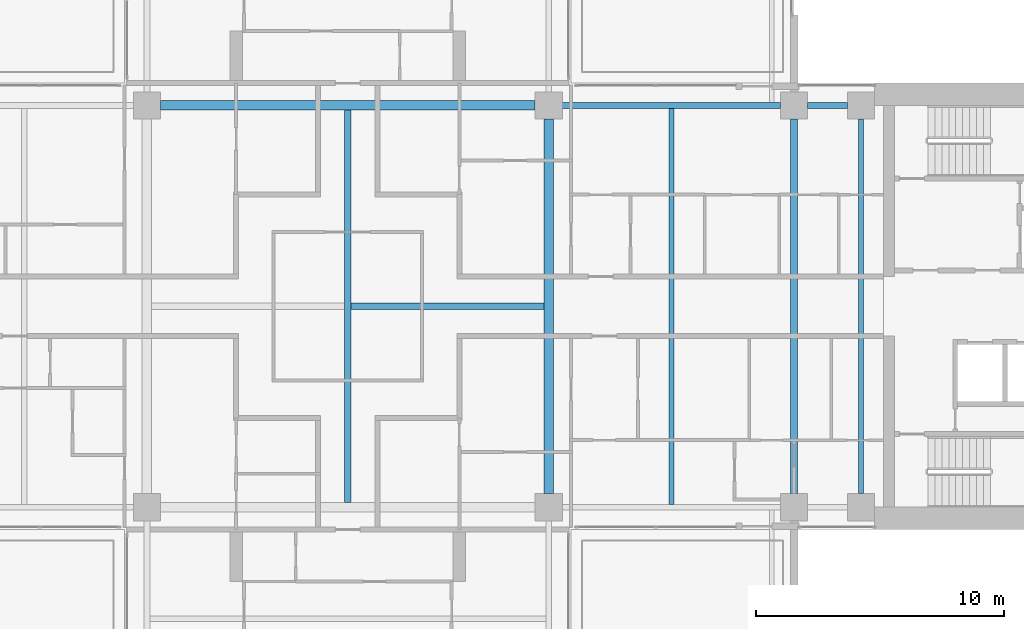
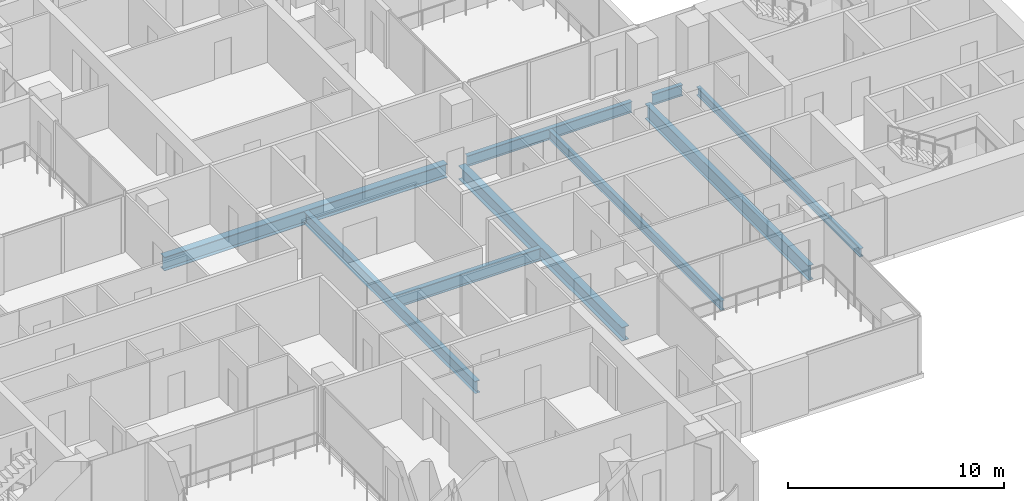
# One storey, part 4 of 19: 9 beams.
"""IFC4 building model written with IfcOpenShell, lengths in metres."""

from ifc_helpers import new_model, si_unit, direction, frame, origin, origin_2d, place, context, subcontext, project, spatial, i_section, extrude, material, material_profile, profile_set, type_object, element, save


model = new_model("IFC4")

# Units and contexts
model_context = context("Model", 3, precision=1e-05, world=origin(), true_north=direction((0.0, 1.0)))
body_context = subcontext(model_context, "Body", "Model", "MODEL_VIEW")
ifc_project = project(units=[si_unit("LENGTHUNIT", "METRE"), si_unit("AREAUNIT", "SQUARE_METRE"), si_unit("VOLUMEUNIT", "CUBIC_METRE"), si_unit("PLANEANGLEUNIT", "RADIAN"), si_unit("MASSUNIT", "GRAM", prefix="KILO")], contexts=[model_context])

# Site, building, storey
site_placement = place(None, origin())
site = spatial("IfcSite", under=ifc_project, at=site_placement, CompositionType="ELEMENT")
building_placement = place(site_placement, origin())
building = spatial("IfcBuilding", under=site, at=building_placement, Name="Perihelion Cross Residences", CompositionType="ELEMENT")
storey_placement = place(building_placement, frame((0.0, 0.0, 119.89990234375)))
storey = spatial("IfcBuildingStorey", under=building, at=storey_placement, Name="L28", CompositionType="ELEMENT", Elevation=119.89990234375)

# Beams
ifc_material_1 = material(Name="Steel S355", Category="steel")
ifc_material_profile_1 = material_profile(ifc_material_1, i_section(OverallWidth=0.194091796875, OverallDepth=0.469970703125, WebThickness=0.0126953125, FlangeThickness=0.0205078125, at=origin_2d()), Name="W460x106")
ifc_profile_set_1 = profile_set([ifc_material_profile_1], Name="Steel S355")
beam_type_1 = type_object("IfcBeamType", Name="Core edge beam W460x106", PredefinedType="BEAM", material=ifc_profile_set_1)
beam_1_placement = place(storey_placement, frame((20.699951171875, -7.550048828125, -0.48486328125), z_axis=(0.0, 1.0, 0.0), x_axis=(-1.0, 0.0, 0.0)))
element("IfcBeam", 1, at=beam_1_placement, inside=storey, type_object=beam_type_1, Name="Core edge beam TB5 L28 no. 2", PredefinedType="BEAM", context=body_context, shape_type="SweptSolid", body=[
    extrude(i_section(OverallWidth=0.194091796875, OverallDepth=0.469970703125, WebThickness=0.0126953125, FlangeThickness=0.0205078125, at=origin_2d()), origin(), (0.0, 0.0, 1.0), 15.10009765625),
])
ifc_material_2 = material(Name="Steel S355", Category="steel")
ifc_material_profile_2 = material_profile(ifc_material_2, i_section(OverallWidth=0.22900390625, OverallDepth=0.612060546875, WebThickness=0.011962890625, FlangeThickness=0.01953125, at=origin_2d()), Name="W610x125")
ifc_profile_set_2 = profile_set([ifc_material_profile_2], Name="Steel S355")
beam_type_2 = type_object("IfcBeamType", Name="Edge beam W610x125", PredefinedType="SPANDREL", material=ifc_profile_set_2)
beam_2_placement = place(storey_placement, frame((20.14990234375, 8.10009765625, -0.555908203125), z_axis=(-1.0, 0.0, 0.0), x_axis=(0.0, -1.0, 0.0)))
element("IfcBeam", 2, at=beam_2_placement, inside=storey, type_object=beam_type_2, Name="Edge beam SB3 L28 no. 13", PredefinedType="SPANDREL", context=body_context, shape_type="SweptSolid", body=[
    extrude(i_section(OverallWidth=0.22900390625, OverallDepth=0.612060546875, WebThickness=0.011962890625, FlangeThickness=0.01953125, at=origin_2d()), origin(), (0.0, 0.0, 1.0), 1.599853515625),
])
beam_3_placement = place(storey_placement, frame((17.449951171875, 8.10009765625, -0.555908203125), z_axis=(-1.0, 0.0, 0.0), x_axis=(0.0, -1.0, 0.0)))
element("IfcBeam", 3, at=beam_3_placement, inside=storey, type_object=beam_type_2, Name="Edge beam SB3 L28 no. 12", PredefinedType="SPANDREL", context=body_context, shape_type="SweptSolid", body=[
    extrude(i_section(OverallWidth=0.22900390625, OverallDepth=0.612060546875, WebThickness=0.011962890625, FlangeThickness=0.01953125, at=origin_2d()), origin(), (0.0, 0.0, 1.0), 8.800048828125),
])
ifc_material_3 = material(Name="Steel S355", Category="steel")
ifc_material_profile_3 = material_profile(ifc_material_3, i_section(OverallWidth=0.2919921875, OverallDepth=0.8359375, WebThickness=0.013916015625, FlangeThickness=0.018798828125, at=origin_2d()), Name="W840x176")
ifc_profile_set_3 = profile_set([ifc_material_profile_3], Name="Steel S355")
beam_type_3 = type_object("IfcBeamType", Name="Floor girder W840x176", PredefinedType="BEAM", material=ifc_profile_set_3)
beam_4_placement = place(storey_placement, frame((18.0, -7.550048828125, -0.66796875), z_axis=(0.0, 1.0, 0.0), x_axis=(-1.0, 0.0, 0.0)))
element("IfcBeam", 4, at=beam_4_placement, inside=storey, type_object=beam_type_3, Name="Girder G3 L28 no. 2", PredefinedType="BEAM", context=body_context, shape_type="SweptSolid", body=[
    extrude(i_section(OverallWidth=0.2919921875, OverallDepth=0.8359375, WebThickness=0.013916015625, FlangeThickness=0.018798828125, at=origin_2d()), origin(), (0.0, 0.0, 1.0), 15.10009765625),
])
ifc_material_4 = material(Name="Steel S355", Category="steel")
ifc_material_profile_4 = material_profile(ifc_material_4, i_section(OverallWidth=0.208984375, OverallDepth=0.532958984375, WebThickness=0.01025390625, FlangeThickness=0.015625, at=origin_2d()), Name="W530x92")
ifc_profile_set_4 = profile_set([ifc_material_profile_4], Name="Steel S355")
beam_type_4 = type_object("IfcBeamType", Name="Floor joist W530x92", PredefinedType="JOIST", material=ifc_profile_set_4)
beam_5_placement = place(storey_placement, frame((13.050048828125, -7.985595703125, -0.516357421875), z_axis=(0.0, 1.0, 0.0), x_axis=(-1.0, 0.0, 0.0)))
element("IfcBeam", 5, at=beam_5_placement, inside=storey, type_object=beam_type_4, Name="Joist J4 L28 no. 2", PredefinedType="JOIST", context=body_context, shape_type="SweptSolid", body=[
    extrude(i_section(OverallWidth=0.208984375, OverallDepth=0.532958984375, WebThickness=0.01025390625, FlangeThickness=0.015625, at=origin_2d()), origin(), (0.0, 0.0, 1.0), 15.97119140625),
])
ifc_material_5 = material(Name="Steel S355", Category="steel")
ifc_material_profile_5 = material_profile(ifc_material_5, i_section(OverallWidth=0.257080078125, OverallDepth=0.693115234375, WebThickness=0.014404296875, FlangeThickness=0.023681640625, at=origin_2d()), Name="W690x170")
ifc_profile_set_5 = profile_set([ifc_material_profile_5], Name="Steel S355")
beam_type_5 = type_object("IfcBeamType", Name="Hub cross beam W690x170", PredefinedType="BEAM", material=ifc_profile_set_5)
beam_6_placement = place(storey_placement, frame((0.0, -7.909423828125, -0.596435546875), z_axis=(0.0, 1.0, 0.0), x_axis=(-1.0, 0.0, 0.0)))
element("IfcBeam", 6, at=beam_6_placement, inside=storey, type_object=beam_type_5, Name="Hub cross beam XB3 L28 no. 1", PredefinedType="BEAM", context=body_context, shape_type="SweptSolid", body=[
    extrude(i_section(OverallWidth=0.257080078125, OverallDepth=0.693115234375, WebThickness=0.014404296875, FlangeThickness=0.023681640625, at=origin_2d()), origin(), (0.0, 0.0, 1.0), 15.81884765625),
])
beam_7_placement = place(storey_placement, frame((0.12841796875, 0.0, -0.596435546875), z_axis=(1.0, 0.0, 0.0), x_axis=(0.0, 1.0, 0.0)))
element("IfcBeam", 7, at=beam_7_placement, inside=storey, type_object=beam_type_5, Name="Hub cross beam XB3 L28 2 no. 1", PredefinedType="BEAM", context=body_context, shape_type="SweptSolid", body=[
    extrude(i_section(OverallWidth=0.257080078125, OverallDepth=0.693115234375, WebThickness=0.014404296875, FlangeThickness=0.023681640625, at=origin_2d()), origin(), (0.0, 0.0, 1.0), 7.781005859375),
])
ifc_material_6 = material(Name="Steel S355", Category="steel")
ifc_material_profile_6 = material_profile(ifc_material_6, i_section(OverallWidth=0.381103515625, OverallDepth=0.77197265625, WebThickness=0.0166015625, FlangeThickness=0.027099609375, at=origin_2d()), Name="W760x257")
ifc_profile_set_6 = profile_set([ifc_material_profile_6], Name="Steel S355")
beam_type_6 = type_object("IfcBeamType", Name="Hub ring girder W760x257", PredefinedType="BEAM", material=ifc_profile_set_6)
for number, where, z_axis, x_axis, name in (
    (8, (8.10009765625, -7.550048828125, -0.635986328125), (0.0, 1.0, 0.0), (-1.0, 0.0, 0.0), "Hub ring girder RG3 L28 no. 3"),
    (9, (7.550048828125, 8.10009765625, -0.635986328125), (-1.0, 0.0, 0.0), (0.0, -1.0, 0.0), "Hub ring girder RG3 L28 no. 4"),
):
    element("IfcBeam", number, at=place(storey_placement, frame(where, z_axis=z_axis, x_axis=x_axis)), inside=storey, type_object=beam_type_6, Name=name, PredefinedType="BEAM", context=body_context, shape_type="SweptSolid", body=[
        extrude(i_section(OverallWidth=0.381103515625, OverallDepth=0.77197265625, WebThickness=0.0166015625, FlangeThickness=0.027099609375, at=origin_2d()), origin(), (0.0, 0.0, 1.0), 15.10009765625),
    ])

save(model, "model.ifc")
